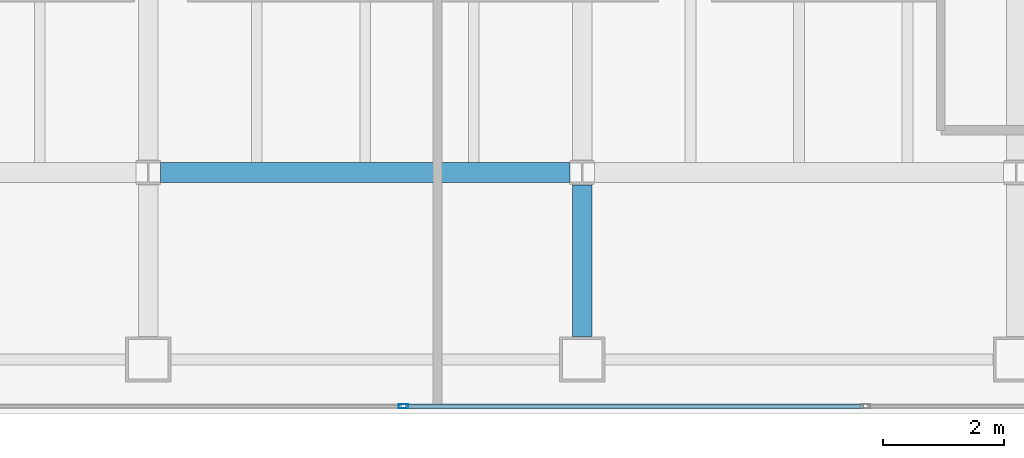
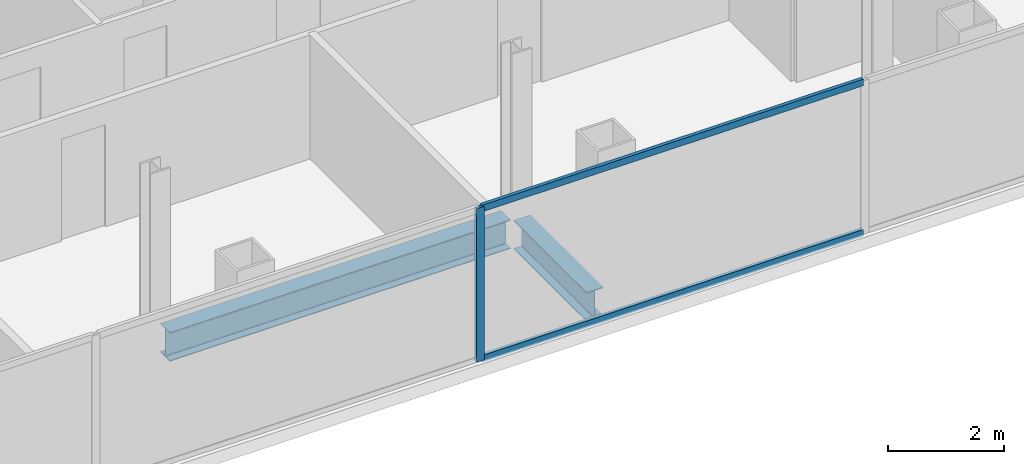
# One storey, part 6 of 23: 3 members, 2 beams, 1 element without a shape of its own.
"""IFC4 building model written with IfcOpenShell, lengths in metres."""

from ifc_helpers import new_model, si_unit, direction, frame, origin, origin_2d, place, context, subcontext, project, spatial, hollow_rectangle, i_section, extrude, material, material_profile, profile_set, type_object, element, aggregate, save


model = new_model("IFC4")

# Units and contexts
model_context = context("Model", 3, precision=1e-05, world=origin(), true_north=direction((0.0, 1.0)))
body_context = subcontext(model_context, "Body", "Model", "MODEL_VIEW")
ifc_project = project(units=[si_unit("LENGTHUNIT", "METRE"), si_unit("AREAUNIT", "SQUARE_METRE"), si_unit("VOLUMEUNIT", "CUBIC_METRE"), si_unit("PLANEANGLEUNIT", "RADIAN"), si_unit("MASSUNIT", "GRAM", prefix="KILO")], contexts=[model_context])

# Site, building, storey
site_placement = place(None, origin())
site = spatial("IfcSite", under=ifc_project, at=site_placement, CompositionType="ELEMENT")
building_placement = place(site_placement, origin())
building = spatial("IfcBuilding", under=site, at=building_placement, Name="Cobrela Telecom Tower", CompositionType="ELEMENT")
storey_placement = place(building_placement, frame((0.0, 0.0, 225.75)))
storey = spatial("IfcBuildingStorey", under=building, at=storey_placement, Name="L58", CompositionType="ELEMENT", Elevation=225.75)

# Beams
ifc_material_1 = material(Name="Steel ASTM A992 Grade 50", Category="steel")
ifc_material_profile_1 = material_profile(ifc_material_1, i_section(OverallWidth=0.324951171875, OverallDepth=0.612060546875, WebThickness=0.0126953125, FlangeThickness=0.01904296875, FilletRadius=0.014892578125, at=origin_2d()), Name="W24X104")
ifc_profile_set_1 = profile_set([ifc_material_profile_1], Name="Steel ASTM A992 Grade 50")
beam_type = type_object("IfcBeamType", Name="BM-GIRD-07", PredefinedType="USERDEFINED", material=ifc_profile_set_1)
beam_1_placement = place(storey_placement, frame((21.804443359375, 7.199951171875, -0.56591796875), z_axis=(1.0, 0.0, 0.0), x_axis=(0.0, 1.0, 0.0)))
element("IfcBeam", 1, at=beam_1_placement, inside=storey, type_object=beam_type, Name="L58 Primary Girder X08", ObjectType="GIRDER", PredefinedType="USERDEFINED", context=body_context, shape_type="SweptSolid", body=[
    extrude(i_section(OverallWidth=0.324951171875, OverallDepth=0.612060546875, WebThickness=0.0126953125, FlangeThickness=0.01904296875, FilletRadius=0.014892578125, at=origin_2d()), origin(), (0.0, 0.0, 1.0), 6.791015625),
])
beam_2_placement = place(storey_placement, frame((28.800048828125, 4.47998046875, -0.56591796875), z_axis=(0.0, 1.0, 0.0), x_axis=(-1.0, 0.0, 0.0)))
element("IfcBeam", 2, at=beam_2_placement, inside=storey, type_object=beam_type, Name="L58 Primary Girder Y36", ObjectType="GIRDER", PredefinedType="USERDEFINED", context=body_context, shape_type="SweptSolid", body=[
    extrude(i_section(OverallWidth=0.324951171875, OverallDepth=0.612060546875, WebThickness=0.0126953125, FlangeThickness=0.01904296875, FilletRadius=0.014892578125, at=origin_2d()), origin(), (0.0, 0.0, 1.0), 2.515625),
])

# Curtain wall, members
ifc_material_2 = material(Name="Anodized Bronze Aluminium 6063-T6", Category="aluminium")
curtain_wall_type = type_object("IfcCurtainWallType", Name="CW-SYS-OFF-LO", PredefinedType="USERDEFINED", material=ifc_material_2)
curtain_wall_placement = place(storey_placement, origin())
curtain_wall = element("IfcCurtainWall", 3, at=curtain_wall_placement, inside=storey, type_object=curtain_wall_type, Name="L58 Unitised Bronze Curtain Wall 17", ObjectType="UNITISED CURTAIN WALL", PredefinedType="USERDEFINED")
ifc_material_profile_2 = material_profile(ifc_material_2, hollow_rectangle(XDim=0.070068359375, YDim=0.159912109375, WallThickness=0.00390625, at=origin_2d()), Name="ALU 70x160x4")
ifc_profile_set_2 = profile_set([ifc_material_profile_2], Name="Anodized Bronze Aluminium 6063-T6")
member_type_1 = type_object("IfcMemberType", Name="CW-SYS-OFF-LO-MUL", PredefinedType="MULLION", material=ifc_profile_set_2)
member_1_placement = place(storey_placement, frame((25.833984375, 3.320068359375, 0.0), z_axis=(0.0, 0.0, 1.0), x_axis=(0.0, -1.0, 0.0)))
member_1 = element("IfcMember", 4, at=member_1_placement, type_object=member_type_1, Name="CW-OFF-LO mullion 3", PredefinedType="MULLION", context=body_context, shape_type="SweptSolid", body=[
    extrude(hollow_rectangle(XDim=0.070068359375, YDim=0.159912109375, WallThickness=0.00390625, at=origin_2d()), origin(), (0.0, 0.0, 1.0), 3.239990234375),
])
ifc_material_profile_3 = material_profile(ifc_material_2, hollow_rectangle(XDim=0.070068359375, YDim=0.139892578125, WallThickness=0.00390625, at=origin_2d()), Name="ALU 70x140x4")
ifc_profile_set_3 = profile_set([ifc_material_profile_3], Name="Anodized Bronze Aluminium 6063-T6")
member_type_2 = type_object("IfcMemberType", Name="CW-SYS-OFF-LO-TRN", PredefinedType="USERDEFINED", material=ifc_profile_set_3)
member_2_placement = place(storey_placement, frame((33.467041015625, 3.320068359375, 0.034912109375), z_axis=(-1.0, 0.0, 0.0), x_axis=(0.0, -1.0, 0.0)))
member_2 = element("IfcMember", 5, at=member_2_placement, type_object=member_type_2, Name="CW-OFF-LO transom 2.1", ObjectType="TRANSOM", PredefinedType="USERDEFINED", context=body_context, shape_type="SweptSolid", body=[
    extrude(hollow_rectangle(XDim=0.070068359375, YDim=0.139892578125, WallThickness=0.00390625, at=origin_2d()), origin(), (0.0, 0.0, 1.0), 7.59814453125),
])
member_3_placement = place(storey_placement, frame((33.467041015625, 3.320068359375, 3.205078125), z_axis=(-1.0, 0.0, 0.0), x_axis=(0.0, -1.0, 0.0)))
member_3 = element("IfcMember", 6, at=member_3_placement, type_object=member_type_2, Name="CW-OFF-LO transom 2.2", ObjectType="TRANSOM", PredefinedType="USERDEFINED", context=body_context, shape_type="SweptSolid", body=[
    extrude(hollow_rectangle(XDim=0.070068359375, YDim=0.139892578125, WallThickness=0.00390625, at=origin_2d()), origin(), (0.0, 0.0, 1.0), 7.59814453125),
])
aggregate(curtain_wall, [member_1, member_2, member_3])

save(model, "model.ifc")
